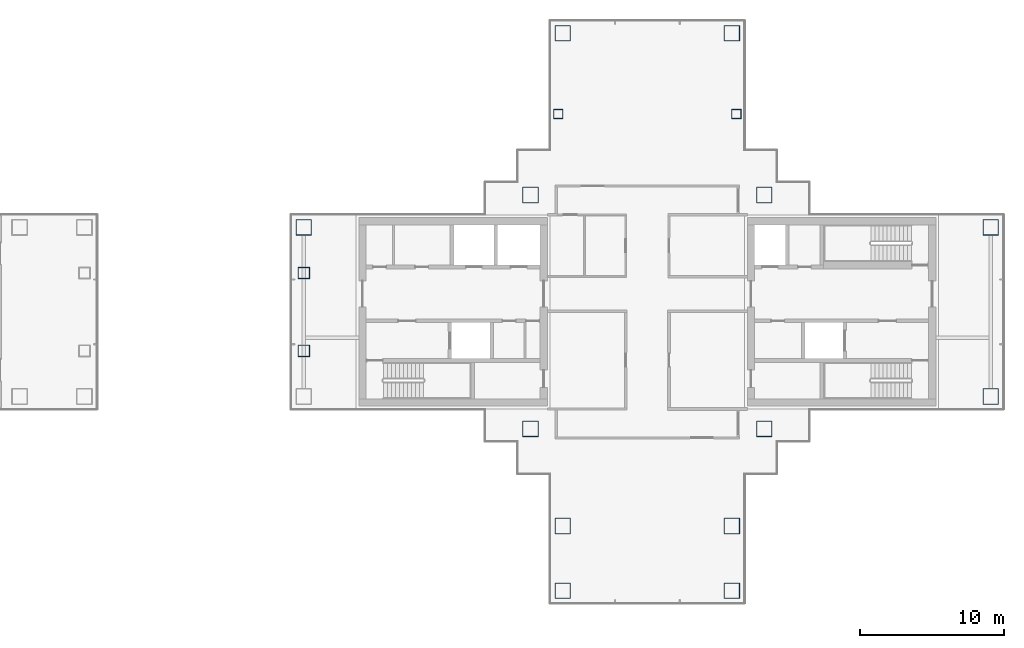
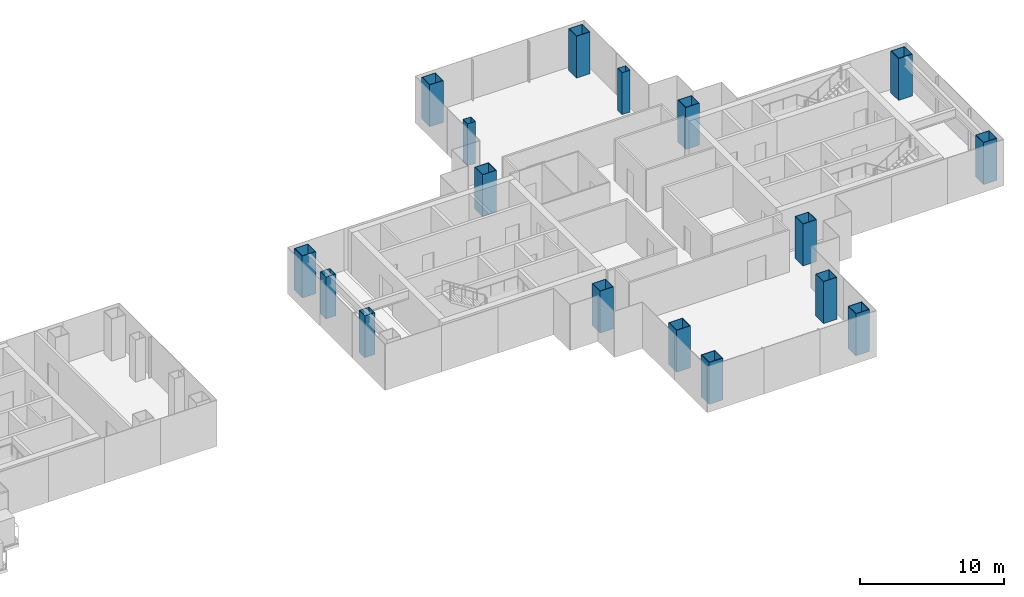
# One storey, part 2 of 16: 17 columns.
"""IFC4 building model written with IfcOpenShell, lengths in metres."""

import ifcopenshell
import ifcopenshell.guid

model = None  # the IFC model being written
_history = None  # IfcOwnerHistory: only IFC2X3 demands one
_inside = {}  # id of a spatial element -> (the spatial element, [elements in it])
_under = {}  # id of a project, library or spatial element -> (it, [spatial elements below it])
_declared = {}  # id of a project -> (the project, [libraries it declares])
_typed = {}  # id of a type object -> (the type object, [elements of that type])
_made_of = {}  # id of a material, layer set ... -> (it, [elements and type objects made of it])


def new_model(schema):
    """Start an empty IFC model of exactly this schema.

    Asked for "IFC4X3", IfcOpenShell would pick the latest addendum, in which some entities
    have other attributes; the version numbers below select the first issue.
    IFC2X3 requires an IfcOwnerHistory on every rooted entity: one is made here for all.
    """
    global model, _history
    if schema == "IFC4X3":
        model = ifcopenshell.file(schema_version=(4, 3, 0, 0))
    else:
        model = ifcopenshell.file(schema=schema)
    _inside.clear()
    _under.clear()
    _declared.clear()
    _typed.clear()
    _made_of.clear()
    _history = None
    if model.schema == "IFC2X3":
        org = make("IfcOrganization", Name="unknown")
        user = make(
            "IfcPersonAndOrganization",
            ThePerson=make("IfcPerson", FamilyName="unknown"),
            TheOrganization=org,
        )
        app = make(
            "IfcApplication",
            ApplicationDeveloper=org,
            Version="unknown",
            ApplicationFullName="unknown",
            ApplicationIdentifier="unknown",
        )
        _history = make(
            "IfcOwnerHistory",
            OwningUser=user,
            OwningApplication=app,
            ChangeAction="ADDED",
            CreationDate=0,
        )
    return model


def make(cls, **values):
    """One entity of the class cls with the attributes given. An attribute that is None is left unset."""
    return model.create_entity(
        cls, **{name: value for name, value in values.items() if value is not None}
    )


def rooted(cls, **values):
    """An entity with a GlobalId (a new one), such as an element, a storey or a relation."""
    return make(cls, GlobalId=ifcopenshell.guid.new(), OwnerHistory=_history, **values)


def si_unit(unit_type, name, prefix=None):
    """IfcSIUnit, for example si_unit("LENGTHUNIT", "METRE", prefix="MILLI")."""
    return make("IfcSIUnit", UnitType=unit_type, Prefix=prefix, Name=name)


def assignment(units):
    """IfcUnitAssignment: the units of a project."""
    return None if units is None else make("IfcUnitAssignment", Units=units)


def point(xyz):
    """IfcCartesianPoint."""
    return None if xyz is None else make("IfcCartesianPoint", Coordinates=xyz)


def direction(xyz):
    """IfcDirection."""
    return None if xyz is None else make("IfcDirection", DirectionRatios=xyz)


def frame(location, z_axis=None, x_axis=None):
    """IfcAxis2Placement3D, a coordinate frame: its origin and axes. An axis left out is left unset."""
    return make(
        "IfcAxis2Placement3D",
        Location=point(location),
        Axis=direction(z_axis),
        RefDirection=direction(x_axis),
    )


def frame_2d(location, x_axis=None):
    """IfcAxis2Placement2D, a coordinate frame in the plane: its origin and x axis."""
    return make(
        "IfcAxis2Placement2D", Location=point(location), RefDirection=direction(x_axis)
    )


def origin():
    """The frame at (0, 0, 0) with its axes left unset."""
    return frame((0.0, 0.0, 0.0))


def origin_2d():
    """The frame at (0, 0) in the plane with its x axis left unset."""
    return frame_2d((0.0, 0.0))


def place(relative_to, where):
    """IfcLocalPlacement: puts the frame where relative to a parent placement (None: the world)."""
    return make(
        "IfcLocalPlacement", PlacementRelTo=relative_to, RelativePlacement=where
    )


def context(
    kind, dimensions, precision=None, world=None, true_north=None, identifier=None
):
    """IfcGeometricRepresentationContext, for example the 3D "Model" context."""
    return make(
        "IfcGeometricRepresentationContext",
        ContextIdentifier=identifier,
        ContextType=kind,
        CoordinateSpaceDimension=dimensions,
        Precision=precision,
        WorldCoordinateSystem=world,
        TrueNorth=true_north,
    )


def subcontext(parent, identifier, kind, view, scale=None):
    """IfcGeometricRepresentationSubContext, for example "Body" below "Model"."""
    return make(
        "IfcGeometricRepresentationSubContext",
        ContextIdentifier=identifier,
        ContextType=kind,
        ParentContext=parent,
        TargetScale=scale,
        TargetView=view,
    )


def project(units=None, contexts=None):
    """IfcProject with its units and contexts."""
    return rooted(
        "IfcProject",
        Name="project",
        RepresentationContexts=contexts,
        UnitsInContext=assignment(units),
    )


def spatial(cls, under=None, at=None, **own):
    """A site, building, storey or space (cls), placed at a placement, below another one or the project."""
    s = rooted(cls, ObjectPlacement=at, **own)
    if under is not None:
        _under.setdefault(under.id(), (under, []))[1].append(s)
    return s


def profile(cls, at=None, kind="AREA", **sizes):
    """A parametric profile (cls). Its sizes go by their IFC names, for example OverallWidth=200.0."""
    return make(cls, ProfileType=kind, Position=at, **sizes)


def hollow_rectangle(**sizes):
    """IfcRectangleHollowProfileDef."""
    return profile("IfcRectangleHollowProfileDef", **sizes)


def extrude(swept, where, along, depth):
    """IfcExtrudedAreaSolid: the profile swept, set in the frame where, extruded along a direction by depth."""
    return make(
        "IfcExtrudedAreaSolid",
        SweptArea=swept,
        Position=where,
        ExtrudedDirection=direction(along),
        Depth=depth,
    )


def shape(context_of_items, identifier, shape_type, items):
    """IfcShapeRepresentation: the items that make up one representation, for example the "Body"."""
    return make(
        "IfcShapeRepresentation",
        ContextOfItems=context_of_items,
        RepresentationIdentifier=identifier,
        RepresentationType=shape_type,
        Items=items,
    )


def material(Name=None, Category=None):
    """IfcMaterial."""
    return make("IfcMaterial", Name=Name, Category=Category)


def material_profile(
    of_material, cross_section, Name=None, Category=None, Priority=None
):
    """IfcMaterialProfile: a cross section and its material."""
    return make(
        "IfcMaterialProfile",
        Name=Name,
        Material=of_material,
        Profile=cross_section,
        Priority=Priority,
        Category=Category,
    )


def profile_set(profiles, Name=None, composite=None):
    """IfcMaterialProfileSet."""
    return make(
        "IfcMaterialProfileSet",
        Name=Name,
        MaterialProfiles=profiles,
        CompositeProfile=composite,
    )


def made_of(thing, what):
    """Note that an element or type object is made of a material, layer set ...; save() writes the relation."""
    if what is not None:
        _made_of.setdefault(what.id(), (what, []))[1].append(thing)
    return thing


def type_object(cls, material=None, **own):
    """A type object (cls), such as IfcWallType, which elements share."""
    return made_of(rooted(cls, **own), material)


def element(
    cls,
    number,
    at=None,
    inside=None,
    cuts=None,
    type_object=None,
    material=None,
    context=None,
    identifier="Body",
    shape_type=None,
    held_by="IfcProductDefinitionShape",
    body=None,
    shapes=None,
    **own,
):
    """One element of the class cls, such as IfcWall. Its Tag is "e" and its number.

    at: its placement. inside: the storey or other place that contains it. cuts: it is an
    opening in that element (IfcRelVoidsElement). A single representation is given by context,
    identifier, shape_type and body (its items); several are given by shapes. held_by: the class
    of the entity that holds the representations. save() writes the other relations.
    """
    e = rooted(cls, Tag="e%d" % number, ObjectPlacement=at, **own)
    if body is not None:
        shapes = [shape(context, identifier, shape_type, body)]
    if shapes is not None:
        e.Representation = make(held_by, Representations=shapes)
    if inside is not None:
        _inside.setdefault(inside.id(), (inside, []))[1].append(e)
    if cuts is not None:
        rooted(
            "IfcRelVoidsElement", RelatingBuildingElement=cuts, RelatedOpeningElement=e
        )
    if type_object is not None:
        _typed.setdefault(type_object.id(), (type_object, []))[1].append(e)
    return made_of(e, material)


def aggregate(whole, parts):
    """IfcRelAggregates: a whole, such as a stair, and the parts it consists of."""
    return rooted("IfcRelAggregates", RelatingObject=whole, RelatedObjects=parts)


def save(model, path):
    """Write the relations noted so far, then the file.

    IfcRelAggregates (storeys below a building ...), IfcRelContainedInSpatialStructure (elements
    in a storey), IfcRelDefinesByType, IfcRelAssociatesMaterial and IfcRelDeclares: one each for
    every whole, place, type object, material and project.
    """
    for whole, parts in _under.values():
        aggregate(whole, parts)
    for where, things in _inside.values():
        rooted(
            "IfcRelContainedInSpatialStructure",
            RelatedElements=things,
            RelatingStructure=where,
        )
    for kind, things in _typed.values():
        rooted("IfcRelDefinesByType", RelatedObjects=things, RelatingType=kind)
    for what, things in _made_of.values():
        rooted("IfcRelAssociatesMaterial", RelatedObjects=things, RelatingMaterial=what)
    for by, libraries in _declared.values():
        rooted("IfcRelDeclares", RelatingContext=by, RelatedDefinitions=libraries)
    model.write(path)


model = new_model("IFC4")

# Units and contexts
model_context = context("Model", 3, precision=1e-05, world=origin(), true_north=direction((0.0, 1.0)))
body_context = subcontext(model_context, "Body", "Model", "MODEL_VIEW")
ifc_project = project(units=[si_unit("LENGTHUNIT", "METRE"), si_unit("AREAUNIT", "SQUARE_METRE"), si_unit("VOLUMEUNIT", "CUBIC_METRE"), si_unit("PLANEANGLEUNIT", "RADIAN"), si_unit("MASSUNIT", "GRAM", prefix="KILO")], contexts=[model_context])

# Site, building, storey
site_placement = place(None, origin())
site = spatial("IfcSite", under=ifc_project, at=site_placement, CompositionType="ELEMENT")
building_placement = place(site_placement, origin())
building = spatial("IfcBuilding", under=site, at=building_placement, Name="Shamsa Quay Exchange Towers", CompositionType="ELEMENT")
storey_placement = place(building_placement, frame((0.0, 0.0, 142.800048828125)))
storey = spatial("IfcBuildingStorey", under=building, at=storey_placement, Name="L33", CompositionType="ELEMENT", Elevation=142.800048828125)

# Columns
ifc_material_1 = material(Name="Concrete-filled steel tube S355 / C80/95", Category="concrete")
ifc_material_profile_1 = material_profile(ifc_material_1, hollow_rectangle(XDim=1.10009765625, YDim=1.10009765625, WallThickness=0.0400390625, at=origin_2d()), Name="CFT 1100x1100x40")
ifc_profile_set_1 = profile_set([ifc_material_profile_1], Name="Concrete-filled steel tube S355 / C80/95")
column_type_1 = type_object("IfcColumnType", Name="Column CFT 1100x1100x40", PredefinedType="COLUMN", material=ifc_profile_set_1)
for number, where, name in (
    (1, (25.625, 8.125, 0.0), "Mega column T2-CM01"),
    (2, (41.875, 8.125, 0.0), "Mega column T2-CM02"),
    (3, (25.625, -8.125, 0.0), "Mega column T2-CM03"),
    (4, (41.875, -8.125, 0.0), "Mega column T2-CM04"),
    (5, (39.625, 19.375, 0.0), "Mega column T2-CM06"),
    (6, (27.875, 19.375, 0.0), "Mega column T2-CM10"),
    (7, (39.625, -14.875, 0.0), "Mega column T2-CM13"),
    (8, (39.625, -19.375, 0.0), "Mega column T2-CM14"),
    (9, (27.875, -14.875, 0.0), "Mega column T2-CM16"),
    (10, (27.875, -19.375, 0.0), "Mega column T2-CM17"),
    (11, (9.875, 5.875, 0.0), "Mega column T2-CM20"),
    (12, (57.625, -5.875, 0.0), "Mega column T2-CM21"),
    (13, (57.625, 5.875, 0.0), "Mega column T2-CM23"),
):
    element("IfcColumn", number, at=place(storey_placement, frame(where)), inside=storey, type_object=column_type_1, Name=name, PredefinedType="COLUMN", context=body_context, shape_type="SweptSolid", body=[
        extrude(hollow_rectangle(XDim=1.10009765625, YDim=1.10009765625, WallThickness=0.0400390625, at=origin_2d()), origin(), (0.0, 0.0, 1.0), 3.550048828125),
    ])
ifc_material_2 = material(Name="Concrete-filled steel tube S355 / C60/75", Category="concrete")
ifc_material_profile_2 = material_profile(ifc_material_2, hollow_rectangle(XDim=0.64990234375, YDim=0.64990234375, WallThickness=0.02001953125, at=origin_2d()), Name="CFT 650x650x20")
ifc_profile_set_2 = profile_set([ifc_material_profile_2], Name="Concrete-filled steel tube S355 / C60/75")
column_type_2 = type_object("IfcColumnType", Name="Column CFT 650x650x20", PredefinedType="COLUMN", material=ifc_profile_set_2)
for number, where, name in (
    (14, (39.9375, 13.75, 0.0), "Perimeter column T2-CP05"),
    (15, (27.5625, 13.75, 0.0), "Perimeter column T2-CP09"),
):
    element("IfcColumn", number, at=place(storey_placement, frame(where)), inside=storey, type_object=column_type_2, Name=name, PredefinedType="COLUMN", context=body_context, shape_type="SweptSolid", body=[
        extrude(hollow_rectangle(XDim=0.64990234375, YDim=0.64990234375, WallThickness=0.02001953125, at=origin_2d()), origin(), (0.0, 0.0, 1.0), 3.550048828125),
    ])
ifc_material_3 = material(Name="Concrete-filled steel tube S355 / C70/85", Category="concrete")
ifc_material_profile_3 = material_profile(ifc_material_3, hollow_rectangle(XDim=0.800048828125, YDim=0.800048828125, WallThickness=0.030029296875, at=origin_2d()), Name="CFT 800x800x30")
ifc_profile_set_3 = profile_set([ifc_material_profile_3], Name="Concrete-filled steel tube S355 / C70/85")
column_type_3 = type_object("IfcColumnType", Name="Landing column CFT 800x800x30", PredefinedType="COLUMN", material=ifc_profile_set_3)
for number, where, name in (
    (16, (9.875, -2.699951171875, 0.0), "Landing column T2 S"),
    (17, (9.875, 2.699951171875, 0.0), "Landing column T2 N"),
):
    element("IfcColumn", number, at=place(storey_placement, frame(where)), inside=storey, type_object=column_type_3, Name=name, PredefinedType="COLUMN", context=body_context, shape_type="SweptSolid", body=[
        extrude(hollow_rectangle(XDim=0.800048828125, YDim=0.800048828125, WallThickness=0.030029296875, at=origin_2d()), origin(), (0.0, 0.0, 1.0), 3.550048828125),
    ])

save(model, "model.ifc")
